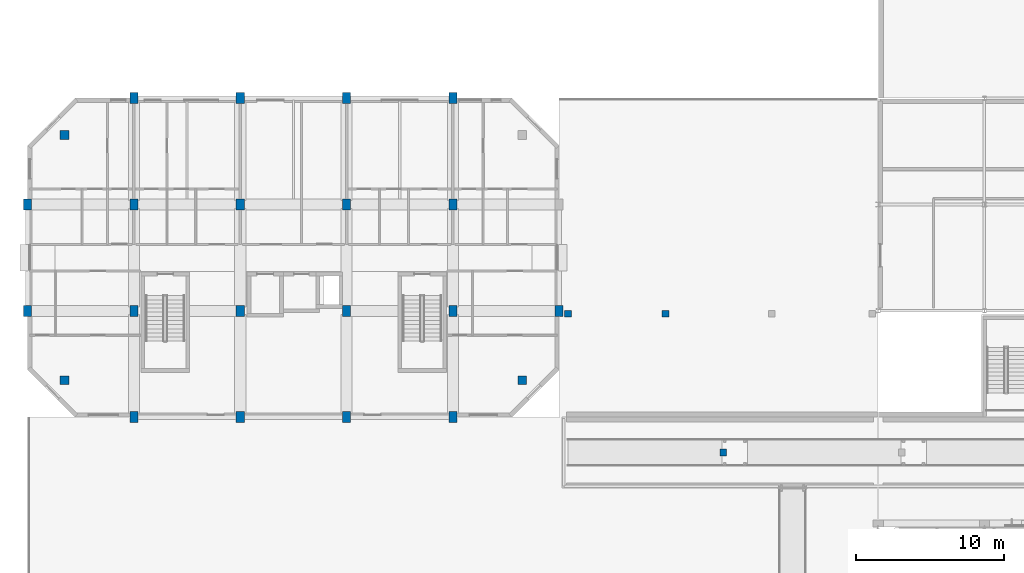
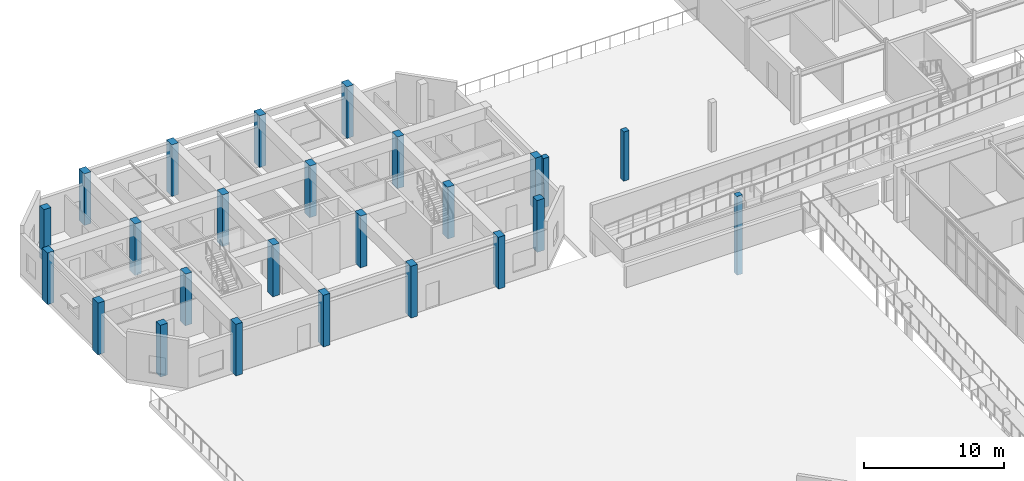
# One storey, part 12 of 85: 25 columns.
"""IFC4 building model written with IfcOpenShell, lengths in metres."""

from ifc_helpers import new_model, si_unit, direction, frame, origin, origin_2d, place, context, subcontext, project, spatial, rectangle, extrude, material, material_profile, profile_set, type_object, element, save


model = new_model("IFC4")

# Units and contexts
model_context = context("Model", 3, precision=1e-05, world=origin(), true_north=direction((0.0, 1.0)))
body_context = subcontext(model_context, "Body", "Model", "MODEL_VIEW")
ifc_project = project(units=[si_unit("LENGTHUNIT", "METRE"), si_unit("AREAUNIT", "SQUARE_METRE"), si_unit("VOLUMEUNIT", "CUBIC_METRE"), si_unit("PLANEANGLEUNIT", "RADIAN"), si_unit("MASSUNIT", "GRAM", prefix="KILO")], contexts=[model_context])

# Site, building, storey
site_placement = place(None, origin())
site = spatial("IfcSite", under=ifc_project, at=site_placement, CompositionType="ELEMENT")
building_placement = place(site_placement, origin())
building = spatial("IfcBuilding", under=site, at=building_placement, Name="Ochrevale Crest", CompositionType="ELEMENT")
storey_placement = place(building_placement, origin())
storey = spatial("IfcBuildingStorey", under=building, at=storey_placement, Name="L00", CompositionType="ELEMENT", Elevation=0.0)

# Columns
ifc_material_1 = material(Name="Precast concrete C40/50", Category="concrete")
ifc_material_profile_1 = material_profile(ifc_material_1, rectangle(XDim=0.449951171875, YDim=0.449951171875, at=origin_2d()), Name="RC 450x450")
ifc_profile_set_1 = profile_set([ifc_material_profile_1], Name="Precast concrete C40/50")
column_type_1 = type_object("IfcColumnType", Name="COL-RC450x450", PredefinedType="COLUMN", material=ifc_profile_set_1)
column_placement = place(storey_placement, frame((47.10009765625, 69.60009765625, -3.860107421875), z_axis=(0.0, 0.0, 1.0), x_axis=(1.0, 0.0, 0.0)))
element("IfcColumn", 1, at=column_placement, inside=storey, type_object=column_type_1, Name="Foundation support pier FTG-PF-RW2A", PredefinedType="COLUMN", context=body_context, shape_type="SweptSolid", body=[
    extrude(rectangle(XDim=0.449951171875, YDim=0.449951171875, at=origin_2d()), origin(), (0.0, 0.0, 1.0), 6.860107421875),
])
for number, where, z_axis, x_axis, name in (
    (2, (36.60009765625, 79.0, 0.0), (0.0, 0.0, 1.0), (1.0, 0.0, 0.0), "Step 3 promenade support column"),
    (3, (43.199951171875, 79.0, 0.0), (0.0, 0.0, 1.0), (1.0, 0.0, 0.0), "Step 3 promenade support column"),
):
    element("IfcColumn", number, at=place(storey_placement, frame(where, z_axis=z_axis, x_axis=x_axis)), inside=storey, type_object=column_type_1, Name=name, PredefinedType="COLUMN", context=body_context, shape_type="SweptSolid", body=[
        extrude(rectangle(XDim=0.449951171875, YDim=0.449951171875, at=origin_2d()), origin(), (0.0, 0.0, 1.0), 4.27490234375),
    ])
ifc_material_2 = material(Name="Precast concrete C50/60", Category="concrete")
ifc_material_profile_2 = material_profile(ifc_material_2, rectangle(XDim=0.550048828125, YDim=0.75, at=origin_2d()), Name="RC 550x750")
ifc_profile_set_2 = profile_set([ifc_material_profile_2], Name="Precast concrete C50/60")
column_type_2 = type_object("IfcColumnType", Name="COL-RC550x750", PredefinedType="COLUMN", material=ifc_profile_set_2)
for number, where, z_axis, x_axis, name in (
    (4, (0.0, 79.199951171875, 0.0), (0.0, 0.0, 1.0), (1.0, 0.0, 0.0), "Block B L00 column (0.0,79.2)"),
    (5, (0.0, 86.39990234375, 0.0), (0.0, 0.0, 1.0), (1.0, 0.0, 0.0), "Block B L00 column (0.0,86.4)"),
    (6, (7.199951171875, 72.0, 0.0), (0.0, 0.0, 1.0), (1.0, 0.0, 0.0), "Block B L00 column (7.2,72.0)"),
    (7, (7.199951171875, 79.199951171875, 0.0), (0.0, 0.0, 1.0), (1.0, 0.0, 0.0), "Block B L00 column (7.2,79.2)"),
    (8, (7.199951171875, 86.39990234375, 0.0), (0.0, 0.0, 1.0), (1.0, 0.0, 0.0), "Block B L00 column (7.2,86.4)"),
    (9, (7.199951171875, 93.60009765625, 0.0), (0.0, 0.0, 1.0), (1.0, 0.0, 0.0), "Block B L00 column (7.2,93.6)"),
    (10, (14.39990234375, 72.0, 0.0), (0.0, 0.0, 1.0), (1.0, 0.0, 0.0), "Block B L00 column (14.4,72.0)"),
    (11, (14.39990234375, 79.199951171875, 0.0), (0.0, 0.0, 1.0), (1.0, 0.0, 0.0), "Block B L00 column (14.4,79.2)"),
    (12, (14.39990234375, 86.39990234375, 0.0), (0.0, 0.0, 1.0), (1.0, 0.0, 0.0), "Block B L00 column (14.4,86.4)"),
    (13, (14.39990234375, 93.60009765625, 0.0), (0.0, 0.0, 1.0), (1.0, 0.0, 0.0), "Block B L00 column (14.4,93.6)"),
    (14, (21.60009765625, 72.0, 0.0), (0.0, 0.0, 1.0), (1.0, 0.0, 0.0), "Block B L00 column (21.6,72.0)"),
    (15, (21.60009765625, 79.199951171875, 0.0), (0.0, 0.0, 1.0), (1.0, 0.0, 0.0), "Block B L00 column (21.6,79.2)"),
    (16, (21.60009765625, 86.39990234375, 0.0), (0.0, 0.0, 1.0), (1.0, 0.0, 0.0), "Block B L00 column (21.6,86.4)"),
    (17, (21.60009765625, 93.60009765625, 0.0), (0.0, 0.0, 1.0), (1.0, 0.0, 0.0), "Block B L00 column (21.6,93.6)"),
    (18, (28.800048828125, 72.0, 0.0), (0.0, 0.0, 1.0), (1.0, 0.0, 0.0), "Block B L00 column (28.8,72.0)"),
    (19, (28.800048828125, 79.199951171875, 0.0), (0.0, 0.0, 1.0), (1.0, 0.0, 0.0), "Block B L00 column (28.8,79.2)"),
    (20, (28.800048828125, 86.39990234375, 0.0), (0.0, 0.0, 1.0), (1.0, 0.0, 0.0), "Block B L00 column (28.8,86.4)"),
    (21, (28.800048828125, 93.60009765625, 0.0), (0.0, 0.0, 1.0), (1.0, 0.0, 0.0), "Block B L00 column (28.8,93.6)"),
    (22, (36.0, 79.199951171875, 0.0), (0.0, 0.0, 1.0), (1.0, 0.0, 0.0), "Block B L00 column (36.0,79.2)"),
):
    element("IfcColumn", number, at=place(storey_placement, frame(where, z_axis=z_axis, x_axis=x_axis)), inside=storey, type_object=column_type_2, Name=name, PredefinedType="COLUMN", context=body_context, shape_type="SweptSolid", body=[
        extrude(rectangle(XDim=0.550048828125, YDim=0.75, at=origin_2d()), origin(), (0.0, 0.0, 1.0), 4.5),
    ])
ifc_material_profile_3 = material_profile(ifc_material_2, rectangle(XDim=0.60009765625, YDim=0.60009765625, at=origin_2d()), Name="RC 600x600")
ifc_profile_set_3 = profile_set([ifc_material_profile_3], Name="Precast concrete C50/60")
column_type_3 = type_object("IfcColumnType", Name="COL-RC600x600", PredefinedType="COLUMN", material=ifc_profile_set_3)
for number, where, z_axis, x_axis, name in (
    (23, (2.5, 74.5, 0.0), (0.0, 0.0, 1.0), (1.0, 0.0, 0.0), "Block B L00 column (2.5,74.5)"),
    (24, (2.5, 91.10009765625, 0.0), (0.0, 0.0, 1.0), (1.0, 0.0, 0.0), "Block B L00 column (2.5,91.1)"),
    (25, (33.5, 74.5, 0.0), (0.0, 0.0, 1.0), (1.0, 0.0, 0.0), "Block B L00 column (33.5,74.5)"),
):
    element("IfcColumn", number, at=place(storey_placement, frame(where, z_axis=z_axis, x_axis=x_axis)), inside=storey, type_object=column_type_3, Name=name, PredefinedType="COLUMN", context=body_context, shape_type="SweptSolid", body=[
        extrude(rectangle(XDim=0.60009765625, YDim=0.60009765625, at=origin_2d()), origin(), (0.0, 0.0, 1.0), 4.5),
    ])

save(model, "model.ifc")
